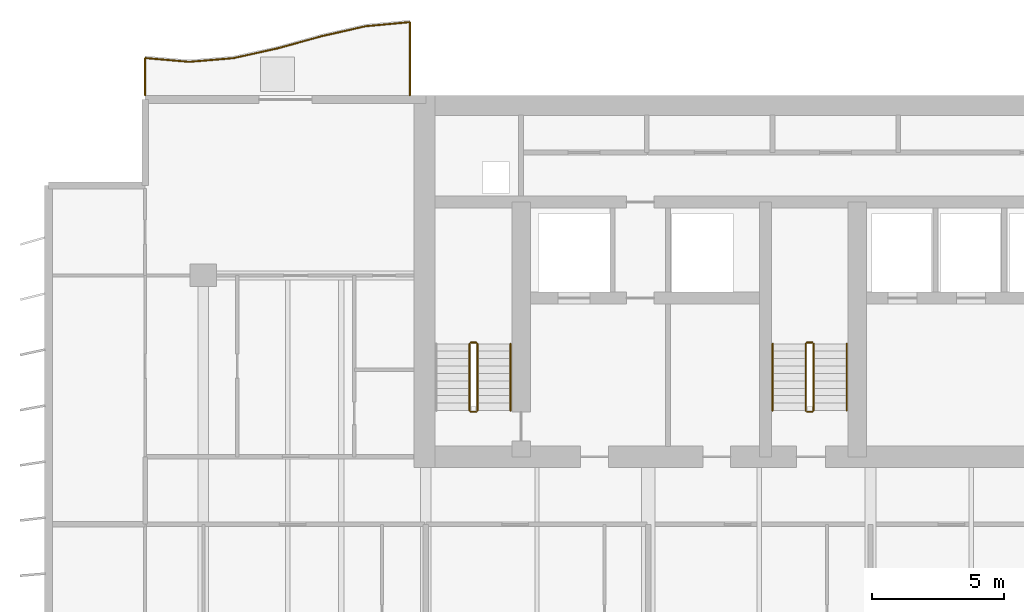
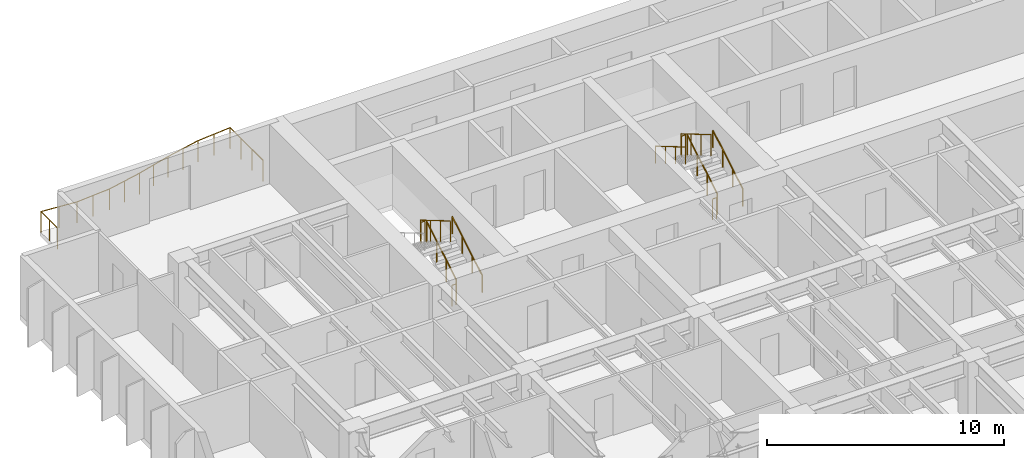
# One storey, part 15 of 17: 12 railings.
"""IFC4 building model written with IfcOpenShell, lengths in metres."""

from ifc_helpers import new_model, si_unit, direction, frame, origin, origin_2d, place, context, subcontext, project, spatial, circle, extrude, material, type_object, element, save


model = new_model("IFC4")

# Units and contexts
model_context = context("Model", 3, precision=1e-05, world=origin(), true_north=direction((0.0, 1.0)))
body_context = subcontext(model_context, "Body", "Model", "MODEL_VIEW")
ifc_project = project(units=[si_unit("LENGTHUNIT", "METRE"), si_unit("AREAUNIT", "SQUARE_METRE"), si_unit("VOLUMEUNIT", "CUBIC_METRE"), si_unit("PLANEANGLEUNIT", "RADIAN"), si_unit("MASSUNIT", "GRAM", prefix="KILO")], contexts=[model_context])

# Site, building, storey
site_placement = place(None, origin())
site = spatial("IfcSite", under=ifc_project, at=site_placement, CompositionType="ELEMENT")
building_placement = place(site_placement, origin())
building = spatial("IfcBuilding", under=site, at=building_placement, Name="Caelmar Bay Residences", CompositionType="ELEMENT")
storey_placement = place(building_placement, frame((0.0, 0.0, 87.89990234375)))
storey = spatial("IfcBuildingStorey", under=building, at=storey_placement, Name="L23", CompositionType="ELEMENT", Elevation=87.89990234375)

# Railings
ifc_material_1 = material(Name="Anodised bronze handrail with laminated hurricane glass infill", Category="glass")
railing_type_1 = type_object("IfcRailingType", Name="RL-BAL-1100", PredefinedType="BALUSTRADE", material=ifc_material_1)
railing_1_placement = place(storey_placement, frame((17.699951171875, 50.60009765625, 0.0)))
element("IfcRailing", 1, at=railing_1_placement, inside=storey, type_object=railing_type_1, Name="L23 north_west Balcony Balustrade", PredefinedType="BALUSTRADE", context=body_context, shape_type="SweptSolid", body=[
    extrude(circle(Radius=0.02392578125, at=origin_2d()), frame((0.0, 0.0, 1.076171875), z_axis=(0.0, 1.0, 0.0), x_axis=(-1.0, 0.0, 0.0)), (0.0, 0.0, 1.0), 2.76953125),
    extrude(circle(Radius=0.02392578125, at=origin_2d()), frame((0.0, 2.76953125, 1.076171875), z_axis=(-0.995755786783, -0.092034847145, 0.0), x_axis=(0.092034847145, -0.995755786783, 0.0)), (0.0, 0.0, 1.0), 1.673828125),
    extrude(circle(Radius=0.02392578125, at=origin_2d()), frame((-1.666748046875, 2.615478515625, 1.076171875), z_axis=(-0.975205779848, -0.221299993112, 0.0), x_axis=(0.221299993112, -0.975205779848, 0.0)), (0.0, 0.0, 1.0), 1.708984375),
    extrude(circle(Radius=0.02392578125, at=origin_2d()), frame((-3.333251953125, 2.2373046875, 1.076171875), z_axis=(-0.964003851304, -0.265888274792, 0.0), x_axis=(0.265888274792, -0.964003851304, 0.0)), (0.0, 0.0, 1.0), 1.72900390625),
    extrude(circle(Radius=0.02392578125, at=origin_2d()), frame((-5.0, 1.777587890625, 1.076171875), z_axis=(-0.97637178472, -0.216097519659, 0.0), x_axis=(0.216097519659, -0.97637178472, 0.0)), (0.0, 0.0, 1.0), 1.70703125),
    extrude(circle(Radius=0.02392578125, at=origin_2d()), frame((-6.666748046875, 1.40869140625, 1.076171875), z_axis=(-0.99655581948, -0.082924656529, 0.0), x_axis=(0.082924656529, -0.99655581948, 0.0)), (0.0, 0.0, 1.0), 1.67236328125),
    extrude(circle(Radius=0.02392578125, at=origin_2d()), frame((-8.333251953125, 1.27001953125, 1.076171875), z_axis=(-0.996336352645, 0.085521180995, 0.0), x_axis=(-0.085521180995, -0.996336352645, 0.0)), (0.0, 0.0, 1.0), 1.6728515625),
    extrude(circle(Radius=0.02392578125, at=origin_2d()), frame((-10.0, 1.4130859375, 1.076171875), z_axis=(0.0, -1.0, 0.0), x_axis=(1.0, 0.0, 0.0)), (0.0, 0.0, 1.0), 1.4130859375),
    extrude(circle(Radius=0.02099609375, at=origin_2d()), origin(), (0.0, 0.0, 1.0), 1.052001953125),
    extrude(circle(Radius=0.02099609375, at=origin_2d()), frame((0.0, 0.923095703125, 0.0)), (0.0, 0.0, 1.0), 1.052001953125),
    extrude(circle(Radius=0.02099609375, at=origin_2d()), frame((0.0, 1.846435546875, 0.0)), (0.0, 0.0, 1.0), 1.052001953125),
    extrude(circle(Radius=0.02099609375, at=origin_2d()), frame((0.0, 2.76953125, 0.0)), (0.0, 0.0, 1.0), 1.052001953125),
    extrude(circle(Radius=0.02099609375, at=origin_2d()), frame((-0.83349609375, 2.6923828125, 0.0)), (0.0, 0.0, 1.0), 1.052001953125),
    extrude(circle(Radius=0.02099609375, at=origin_2d()), frame((-1.666748046875, 2.615478515625, 0.0)), (0.0, 0.0, 1.0), 1.052001953125),
    extrude(circle(Radius=0.02099609375, at=origin_2d()), frame((-2.5, 2.42626953125, 0.0)), (0.0, 0.0, 1.0), 1.052001953125),
    extrude(circle(Radius=0.02099609375, at=origin_2d()), frame((-3.333251953125, 2.2373046875, 0.0)), (0.0, 0.0, 1.0), 1.052001953125),
    extrude(circle(Radius=0.02099609375, at=origin_2d()), frame((-4.16650390625, 2.00732421875, 0.0)), (0.0, 0.0, 1.0), 1.052001953125),
    extrude(circle(Radius=0.02099609375, at=origin_2d()), frame((-5.0, 1.777587890625, 0.0)), (0.0, 0.0, 1.0), 1.052001953125),
    extrude(circle(Radius=0.02099609375, at=origin_2d()), frame((-5.83349609375, 1.59326171875, 0.0)), (0.0, 0.0, 1.0), 1.052001953125),
    extrude(circle(Radius=0.02099609375, at=origin_2d()), frame((-6.666748046875, 1.40869140625, 0.0)), (0.0, 0.0, 1.0), 1.052001953125),
    extrude(circle(Radius=0.02099609375, at=origin_2d()), frame((-7.5, 1.33935546875, 0.0)), (0.0, 0.0, 1.0), 1.052001953125),
    extrude(circle(Radius=0.02099609375, at=origin_2d()), frame((-8.333251953125, 1.27001953125, 0.0)), (0.0, 0.0, 1.0), 1.052001953125),
    extrude(circle(Radius=0.02099609375, at=origin_2d()), frame((-9.16650390625, 1.341552734375, 0.0)), (0.0, 0.0, 1.0), 1.052001953125),
    extrude(circle(Radius=0.02099609375, at=origin_2d()), frame((-10.0, 1.4130859375, 0.0)), (0.0, 0.0, 1.0), 1.052001953125),
    extrude(circle(Radius=0.02099609375, at=origin_2d()), frame((-10.0, 0.70654296875, 0.0)), (0.0, 0.0, 1.0), 1.052001953125),
    extrude(circle(Radius=0.02099609375, at=origin_2d()), frame((-10.0, 0.0, 0.0)), (0.0, 0.0, 1.0), 1.052001953125),
])
ifc_material_2 = material(Name="Painted galvanized steel stair guard 1100 mm", Category="steel")
railing_type_2 = type_object("IfcRailingType", Name="RL-GRD-1100", PredefinedType="GUARDRAIL", material=ifc_material_2)
railing_2_placement = place(storey_placement, frame((20.25, 38.699951171875, 0.1650390625)))
element("IfcRailing", 2, at=railing_2_placement, inside=storey, type_object=railing_type_2, Name="L23 ST1 stair guard 1", PredefinedType="GUARDRAIL", context=body_context, shape_type="SweptSolid", body=[
    extrude(circle(Radius=0.02392578125, at=origin_2d()), frame((0.0, 0.0, 1.076171875), z_axis=(0.0, 0.86152411907, 0.507716645641), x_axis=(-1.0, 0.0, 0.0)), (0.0, 0.0, 1.0), 2.925048828125),
    extrude(circle(Radius=0.02099609375, at=origin_2d()), origin(), (0.0, 0.0, 1.0), 1.052001953125),
    extrude(circle(Radius=0.02099609375, at=origin_2d()), frame((0.0, 0.840087890625, 0.4951171875)), (0.0, 0.0, 1.0), 1.052001953125),
    extrude(circle(Radius=0.02099609375, at=origin_2d()), frame((0.0, 1.679931640625, 0.989990234375)), (0.0, 0.0, 1.0), 1.052001953125),
    extrude(circle(Radius=0.02099609375, at=origin_2d()), frame((0.0, 2.52001953125, 1.485107421875)), (0.0, 0.0, 1.0), 1.052001953125),
])
railing_3_placement = place(storey_placement, frame((20.199951171875, 41.27001953125, 1.650146484375)))
element("IfcRailing", 3, at=railing_3_placement, inside=storey, type_object=railing_type_2, Name="L23 ST1 stair guard 2", PredefinedType="GUARDRAIL", context=body_context, shape_type="SweptSolid", body=[
    extrude(circle(Radius=0.02392578125, at=origin_2d()), frame((0.0, 0.0, 1.076171875), z_axis=(-1.0, 0.0, 0.0), x_axis=(0.0, -1.0, 0.0)), (0.0, 0.0, 1.0), 0.199951171875),
    extrude(circle(Radius=0.02099609375, at=origin_2d()), origin(), (0.0, 0.0, 1.0), 1.052001953125),
    extrude(circle(Radius=0.02099609375, at=origin_2d()), frame((-0.199951171875, 0.0, 0.0)), (0.0, 0.0, 1.0), 1.052001953125),
])
railing_4_placement = place(storey_placement, frame((19.949951171875, 41.219970703125, 1.815185546875)))
element("IfcRailing", 4, at=railing_4_placement, inside=storey, type_object=railing_type_2, Name="L23 ST1 stair guard 3", PredefinedType="GUARDRAIL", context=body_context, shape_type="SweptSolid", body=[
    extrude(circle(Radius=0.02392578125, at=origin_2d()), frame((0.0, 0.0, 1.076171875), z_axis=(0.0, -0.861560626758, 0.507654692109), x_axis=(1.0, 0.0, 0.0)), (0.0, 0.0, 1.0), 2.925048828125),
    extrude(circle(Radius=0.02099609375, at=origin_2d()), origin(), (0.0, 0.0, 1.0), 1.052001953125),
    extrude(circle(Radius=0.02099609375, at=origin_2d()), frame((0.0, -0.840087890625, 0.494873046875)), (0.0, 0.0, 1.0), 1.052001953125),
    extrude(circle(Radius=0.02099609375, at=origin_2d()), frame((0.0, -1.679931640625, 0.989990234375)), (0.0, 0.0, 1.0), 1.052001953125),
    extrude(circle(Radius=0.02099609375, at=origin_2d()), frame((0.0, -2.52001953125, 1.48486328125)), (0.0, 0.0, 1.0), 1.052001953125),
])
railing_5_placement = place(storey_placement, frame((20.199951171875, 38.64990234375, 0.0)))
element("IfcRailing", 5, at=railing_5_placement, inside=storey, type_object=railing_type_2, Name="L23 ST1 stair guard 4", PredefinedType="GUARDRAIL", context=body_context, shape_type="SweptSolid", body=[
    extrude(circle(Radius=0.02392578125, at=origin_2d()), frame((0.0, 0.0, 1.076171875), z_axis=(-1.0, 0.0, 0.0), x_axis=(0.0, -1.0, 0.0)), (0.0, 0.0, 1.0), 0.199951171875),
    extrude(circle(Radius=0.02099609375, at=origin_2d()), origin(), (0.0, 0.0, 1.0), 1.052001953125),
    extrude(circle(Radius=0.02099609375, at=origin_2d()), frame((-0.199951171875, 0.0, 0.0)), (0.0, 0.0, 1.0), 1.052001953125),
])
railing_6_placement = place(storey_placement, frame((32.949951171875, 38.699951171875, 0.1650390625)))
element("IfcRailing", 6, at=railing_6_placement, inside=storey, type_object=railing_type_2, Name="L23 ST3 stair guard 1", PredefinedType="GUARDRAIL", context=body_context, shape_type="SweptSolid", body=[
    extrude(circle(Radius=0.02392578125, at=origin_2d()), frame((0.0, 0.0, 1.076171875), z_axis=(0.0, 0.86152411907, 0.507716645641), x_axis=(-1.0, 0.0, 0.0)), (0.0, 0.0, 1.0), 2.925048828125),
    extrude(circle(Radius=0.02099609375, at=origin_2d()), origin(), (0.0, 0.0, 1.0), 1.052001953125),
    extrude(circle(Radius=0.02099609375, at=origin_2d()), frame((0.0, 0.840087890625, 0.4951171875)), (0.0, 0.0, 1.0), 1.052001953125),
    extrude(circle(Radius=0.02099609375, at=origin_2d()), frame((0.0, 1.679931640625, 0.989990234375)), (0.0, 0.0, 1.0), 1.052001953125),
    extrude(circle(Radius=0.02099609375, at=origin_2d()), frame((0.0, 2.52001953125, 1.485107421875)), (0.0, 0.0, 1.0), 1.052001953125),
])
railing_7_placement = place(storey_placement, frame((32.89990234375, 41.27001953125, 1.650146484375)))
element("IfcRailing", 7, at=railing_7_placement, inside=storey, type_object=railing_type_2, Name="L23 ST3 stair guard 2", PredefinedType="GUARDRAIL", context=body_context, shape_type="SweptSolid", body=[
    extrude(circle(Radius=0.02392578125, at=origin_2d()), frame((0.0, 0.0, 1.076171875), z_axis=(-1.0, 0.0, 0.0), x_axis=(0.0, -1.0, 0.0)), (0.0, 0.0, 1.0), 0.199951171875),
    extrude(circle(Radius=0.02099609375, at=origin_2d()), origin(), (0.0, 0.0, 1.0), 1.052001953125),
    extrude(circle(Radius=0.02099609375, at=origin_2d()), frame((-0.199951171875, 0.0, 0.0)), (0.0, 0.0, 1.0), 1.052001953125),
])
railing_8_placement = place(storey_placement, frame((32.64990234375, 41.219970703125, 1.815185546875)))
element("IfcRailing", 8, at=railing_8_placement, inside=storey, type_object=railing_type_2, Name="L23 ST3 stair guard 3", PredefinedType="GUARDRAIL", context=body_context, shape_type="SweptSolid", body=[
    extrude(circle(Radius=0.02392578125, at=origin_2d()), frame((0.0, 0.0, 1.076171875), z_axis=(0.0, -0.861560626758, 0.507654692109), x_axis=(1.0, 0.0, 0.0)), (0.0, 0.0, 1.0), 2.925048828125),
    extrude(circle(Radius=0.02099609375, at=origin_2d()), origin(), (0.0, 0.0, 1.0), 1.052001953125),
    extrude(circle(Radius=0.02099609375, at=origin_2d()), frame((0.0, -0.840087890625, 0.494873046875)), (0.0, 0.0, 1.0), 1.052001953125),
    extrude(circle(Radius=0.02099609375, at=origin_2d()), frame((0.0, -1.679931640625, 0.989990234375)), (0.0, 0.0, 1.0), 1.052001953125),
    extrude(circle(Radius=0.02099609375, at=origin_2d()), frame((0.0, -2.52001953125, 1.48486328125)), (0.0, 0.0, 1.0), 1.052001953125),
])
railing_9_placement = place(storey_placement, frame((32.89990234375, 38.64990234375, 0.0)))
element("IfcRailing", 9, at=railing_9_placement, inside=storey, type_object=railing_type_2, Name="L23 ST3 stair guard 4", PredefinedType="GUARDRAIL", context=body_context, shape_type="SweptSolid", body=[
    extrude(circle(Radius=0.02392578125, at=origin_2d()), frame((0.0, 0.0, 1.076171875), z_axis=(-1.0, 0.0, 0.0), x_axis=(0.0, -1.0, 0.0)), (0.0, 0.0, 1.0), 0.199951171875),
    extrude(circle(Radius=0.02099609375, at=origin_2d()), origin(), (0.0, 0.0, 1.0), 1.052001953125),
    extrude(circle(Radius=0.02099609375, at=origin_2d()), frame((-0.199951171875, 0.0, 0.0)), (0.0, 0.0, 1.0), 1.052001953125),
])
ifc_material_3 = material(Name="Brushed bronze stainless-steel tubular handrail 900 mm", Category="steel")
railing_type_3 = type_object("IfcRailingType", Name="RL-HND-900", PredefinedType="HANDRAIL", material=ifc_material_3)
for number, where, name in (
    (10, (21.5, 38.699951171875, 0.1650390625), "L23 ST1 stair handrail 1"),
    (11, (34.199951171875, 38.699951171875, 0.1650390625), "L23 ST3 stair handrail 1"),
):
    element("IfcRailing", number, at=place(storey_placement, frame(where)), inside=storey, type_object=railing_type_3, Name=name, PredefinedType="HANDRAIL", context=body_context, shape_type="SweptSolid", body=[
        extrude(circle(Radius=0.02392578125, at=origin_2d()), frame((0.0, 0.0, 0.8759765625), z_axis=(0.0, 0.86152411907, 0.507716645641), x_axis=(-1.0, 0.0, 0.0)), (0.0, 0.0, 1.0), 2.925048828125),
        extrude(circle(Radius=0.02099609375, at=origin_2d()), origin(), (0.0, 0.0, 1.0), 0.851806640625),
        extrude(circle(Radius=0.02099609375, at=origin_2d()), frame((0.0, 0.840087890625, 0.4951171875)), (0.0, 0.0, 1.0), 0.851806640625),
        extrude(circle(Radius=0.02099609375, at=origin_2d()), frame((0.0, 1.679931640625, 0.989990234375)), (0.0, 0.0, 1.0), 0.851806640625),
        extrude(circle(Radius=0.02099609375, at=origin_2d()), frame((0.0, 2.52001953125, 1.485107421875)), (0.0, 0.0, 1.0), 0.851806640625),
    ])
railing_10_placement = place(storey_placement, frame((31.39990234375, 41.219970703125, 1.815185546875)))
element("IfcRailing", 12, at=railing_10_placement, inside=storey, type_object=railing_type_3, Name="L23 ST3 stair handrail 2", PredefinedType="HANDRAIL", context=body_context, shape_type="SweptSolid", body=[
    extrude(circle(Radius=0.02392578125, at=origin_2d()), frame((0.0, 0.0, 0.8759765625), z_axis=(0.0, -0.861560626758, 0.507654692109), x_axis=(1.0, 0.0, 0.0)), (0.0, 0.0, 1.0), 2.925048828125),
    extrude(circle(Radius=0.02099609375, at=origin_2d()), origin(), (0.0, 0.0, 1.0), 0.851806640625),
    extrude(circle(Radius=0.02099609375, at=origin_2d()), frame((0.0, -0.840087890625, 0.494873046875)), (0.0, 0.0, 1.0), 0.851806640625),
    extrude(circle(Radius=0.02099609375, at=origin_2d()), frame((0.0, -1.679931640625, 0.989990234375)), (0.0, 0.0, 1.0), 0.851806640625),
    extrude(circle(Radius=0.02099609375, at=origin_2d()), frame((0.0, -2.52001953125, 1.48486328125)), (0.0, 0.0, 1.0), 0.851806640625),
])

save(model, "model.ifc")
